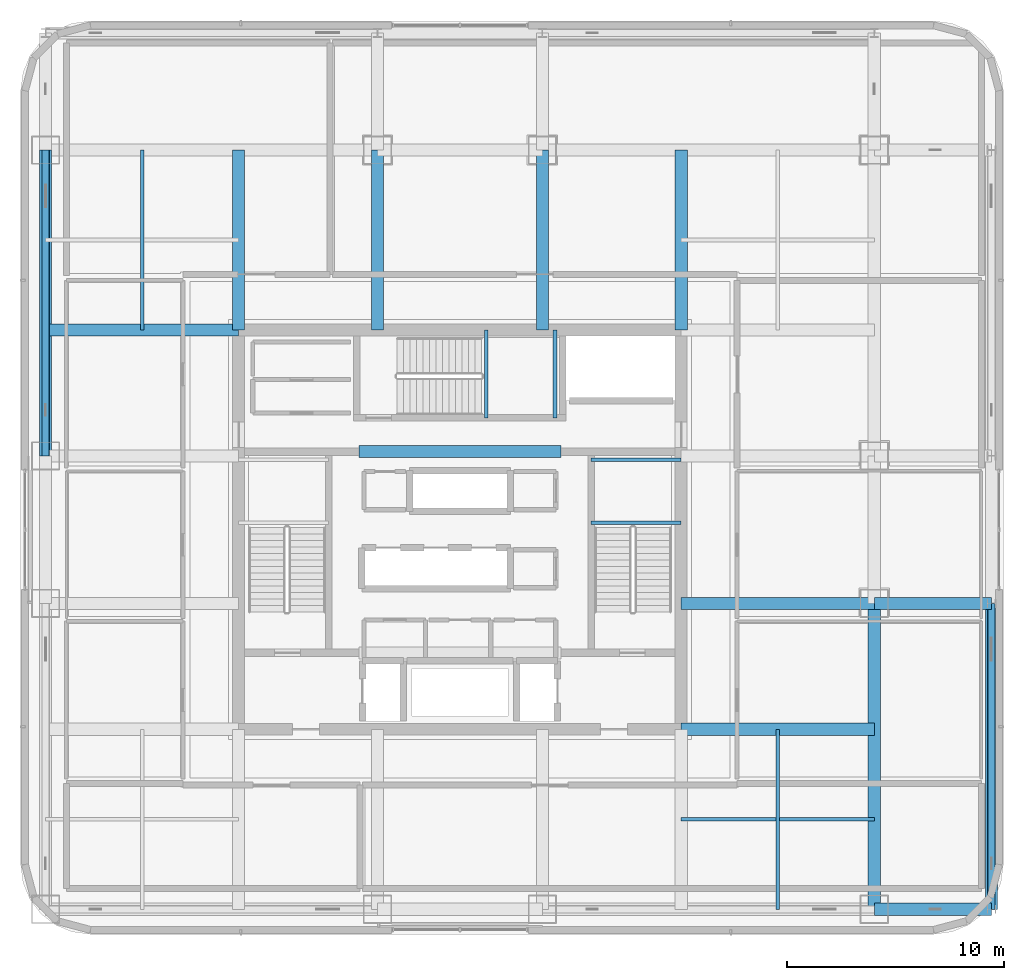
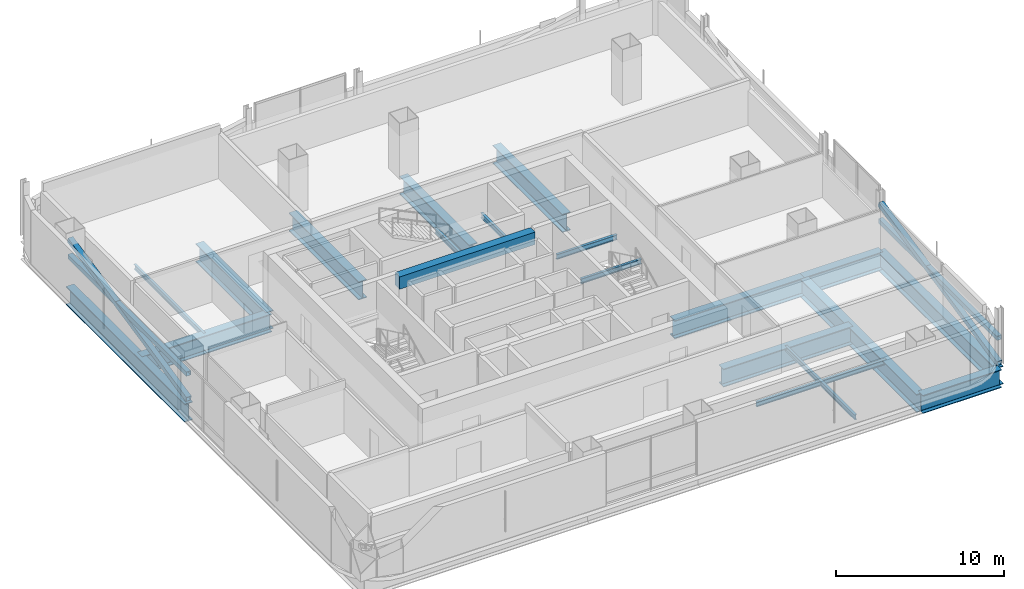
# One storey, part 6 of 30: 20 beams, 4 members.
"""IFC4 building model written with IfcOpenShell, lengths in metres."""

from ifc_helpers import new_model, si_unit, direction, frame, origin, origin_2d, place, context, subcontext, project, spatial, rectangle, hollow_rectangle, i_section, extrude, material, material_profile, profile_set, type_object, element, save


model = new_model("IFC4")

# Units and contexts
model_context = context("Model", 3, precision=1e-05, world=origin(), true_north=direction((0.0, 1.0)))
body_context = subcontext(model_context, "Body", "Model", "MODEL_VIEW")
ifc_project = project(units=[si_unit("LENGTHUNIT", "METRE"), si_unit("AREAUNIT", "SQUARE_METRE"), si_unit("VOLUMEUNIT", "CUBIC_METRE"), si_unit("PLANEANGLEUNIT", "RADIAN"), si_unit("MASSUNIT", "GRAM", prefix="KILO")], contexts=[model_context])

# Site, building, storey
site_placement = place(None, origin())
site = spatial("IfcSite", under=ifc_project, at=site_placement, CompositionType="ELEMENT")
building_placement = place(site_placement, origin())
building = spatial("IfcBuilding", under=site, at=building_placement, Name="Punatoya Terracotta Tower", CompositionType="ELEMENT")
storey_placement = place(building_placement, frame((0.0, 0.0, 251.39990234375)))
storey = spatial("IfcBuildingStorey", under=building, at=storey_placement, Name="L59", CompositionType="ELEMENT", Elevation=251.39990234375)

# Beams
ifc_material_1 = material(Name="Concrete C50/60", Category="concrete")
ifc_material_profile_1 = material_profile(ifc_material_1, rectangle(XDim=0.550048828125, YDim=0.89990234375, at=origin_2d()))
ifc_profile_set_1 = profile_set([ifc_material_profile_1], Name="Concrete C50/60")
beam_type_1 = type_object("IfcBeamType", Name="BM-RC-900", PredefinedType="LINTEL", material=ifc_profile_set_1)
beam_1_placement = place(storey_placement, frame((-4.64990234375, 3.60009765625, 3.400146484375), z_axis=(1.0, 0.0, 0.0), x_axis=(0.0, 1.0, 0.0)))
element("IfcBeam", 1, at=beam_1_placement, inside=storey, type_object=beam_type_1, Name="L59 Core Coupling Lintel CNW", PredefinedType="LINTEL", context=body_context, shape_type="SweptSolid", body=[
    extrude(rectangle(XDim=0.550048828125, YDim=0.89990234375, at=origin_2d()), origin(), (0.0, 0.0, 1.0), 9.2998046875),
])
ifc_material_2 = material(Name="Steel S355", Category="steel")
ifc_material_profile_2 = material_profile(ifc_material_2, i_section(OverallWidth=0.169921875, OverallDepth=0.360107421875, WebThickness=0.008056640625, FlangeThickness=0.0126953125, FilletRadius=0.01806640625, at=origin_2d()))
ifc_profile_set_2 = profile_set([ifc_material_profile_2], Name="Steel S355")
beam_type_2 = type_object("IfcBeamType", Name="BM-SEC-360", PredefinedType="JOIST", material=ifc_profile_set_2)
beam_2_placement = place(storey_placement, frame((10.199951171875, -13.35009765625, -0.4599609375), z_axis=(1.0, 0.0, 0.0), x_axis=(0.0, 1.0, 0.0)))
element("IfcBeam", 2, at=beam_2_placement, inside=storey, type_object=beam_type_2, Name="BM-L59-SJS-2", PredefinedType="JOIST", context=body_context, shape_type="SweptSolid", body=[
    extrude(i_section(OverallWidth=0.169921875, OverallDepth=0.360107421875, WebThickness=0.008056640625, FlangeThickness=0.0126953125, FilletRadius=0.01806640625, at=origin_2d()), origin(), (0.0, 0.0, 1.0), 8.900146484375),
])
for number, where, z_axis, x_axis, name in (
    (3, (14.64990234375, -17.5, -0.4599609375), (0.0, 1.0, 0.0), (-1.0, 0.0, 0.0), "BM-L59-SJE-1"),
    (4, (-14.64990234375, 9.199951171875, -0.4599609375), (0.0, 1.0, 0.0), (-1.0, 0.0, 0.0), "BM-L59-SJW-2"),
):
    element("IfcBeam", number, at=place(storey_placement, frame(where, z_axis=z_axis, x_axis=x_axis)), inside=storey, type_object=beam_type_2, Name=name, PredefinedType="JOIST", context=body_context, shape_type="SweptSolid", body=[
        extrude(i_section(OverallWidth=0.169921875, OverallDepth=0.360107421875, WebThickness=0.008056640625, FlangeThickness=0.0126953125, FilletRadius=0.01806640625, at=origin_2d()), origin(), (0.0, 0.0, 1.0), 8.300048828125),
    ])
for number, where, z_axis, x_axis, name in (
    (5, (6.050048828125, 0.320068359375, 1.64501953125), (1.0, 0.0, 0.0), (0.0, 1.0, 0.0), "BM-L59-ST-2-LD1A"),
    (6, (6.050048828125, 3.22998046875, 1.64501953125), (1.0, 0.0, 0.0), (0.0, 1.0, 0.0), "BM-L59-ST-2-LD1B"),
):
    element("IfcBeam", number, at=place(storey_placement, frame(where, z_axis=z_axis, x_axis=x_axis)), inside=storey, type_object=beam_type_2, Name=name, PredefinedType="JOIST", context=body_context, shape_type="SweptSolid", body=[
        extrude(i_section(OverallWidth=0.169921875, OverallDepth=0.360107421875, WebThickness=0.008056640625, FlangeThickness=0.0126953125, FilletRadius=0.01806640625, at=origin_2d()), origin(), (0.0, 0.0, 1.0), 4.14990234375),
    ])
for number, where, z_axis, x_axis, name in (
    (7, (1.219970703125, 5.14990234375, 1.64501953125), (0.0, 1.0, 0.0), (-1.0, 0.0, 0.0), "BM-L59-ST-3-LD1A"),
    (8, (4.3798828125, 5.14990234375, 1.64501953125), (0.0, 1.0, 0.0), (-1.0, 0.0, 0.0), "BM-L59-ST-3-LD1B"),
):
    element("IfcBeam", number, at=place(storey_placement, frame(where, z_axis=z_axis, x_axis=x_axis)), inside=storey, type_object=beam_type_2, Name=name, PredefinedType="JOIST", context=body_context, shape_type="SweptSolid", body=[
        extrude(i_section(OverallWidth=0.169921875, OverallDepth=0.360107421875, WebThickness=0.008056640625, FlangeThickness=0.0126953125, FilletRadius=0.01806640625, at=origin_2d()), origin(), (0.0, 0.0, 1.0), 4.050048828125),
    ])
ifc_material_3 = material(Name="Steel S460", Category="steel")
ifc_material_profile_3 = material_profile(ifc_material_3, i_section(OverallWidth=0.56005859375, OverallDepth=1.320068359375, WebThickness=0.035888671875, FlangeThickness=0.054931640625, FilletRadius=0.01806640625, at=origin_2d()))
ifc_profile_set_3 = profile_set([ifc_material_profile_3], Name="Steel S460")
beam_type_3 = type_object("IfcBeamType", Name="BM-TG-BLK", PredefinedType="BEAM", material=ifc_profile_set_3)
for number, where, z_axis, x_axis, name in (
    (9, (-19.10009765625, 3.39990234375, -0.93994140625), (0.0, 1.0, 0.0), (-1.0, 0.0, 0.0), "BM-L59-RG-W3"),
    (10, (19.10009765625, -17.5, -0.93994140625), (0.0, 1.0, 0.0), (-1.0, 0.0, 0.0), "BM-L59-RG-E1"),
):
    element("IfcBeam", number, at=place(storey_placement, frame(where, z_axis=z_axis, x_axis=x_axis)), inside=storey, type_object=beam_type_3, Name=name, PredefinedType="BEAM", context=body_context, shape_type="SweptSolid", body=[
        extrude(i_section(OverallWidth=0.56005859375, OverallDepth=1.320068359375, WebThickness=0.035888671875, FlangeThickness=0.054931640625, FilletRadius=0.01806640625, at=origin_2d()), origin(), (0.0, 0.0, 1.0), 14.10009765625),
    ])
for number, where, z_axis, x_axis, name in (
    (11, (-19.10009765625, 9.199951171875, -0.93994140625), (1.0, 0.0, 0.0), (0.0, 1.0, 0.0), "BM-L59-PR-WN"),
    (12, (10.199951171875, -9.199951171875, -0.93994140625), (1.0, 0.0, 0.0), (0.0, 1.0, 0.0), "BM-L59-PR-ES"),
    (13, (10.199951171875, -3.39990234375, -0.93994140625), (1.0, 0.0, 0.0), (0.0, 1.0, 0.0), "BM-L59-PR-ED"),
):
    element("IfcBeam", number, at=place(storey_placement, frame(where, z_axis=z_axis, x_axis=x_axis)), inside=storey, type_object=beam_type_3, Name=name, PredefinedType="BEAM", context=body_context, shape_type="SweptSolid", body=[
        extrude(i_section(OverallWidth=0.56005859375, OverallDepth=1.320068359375, WebThickness=0.035888671875, FlangeThickness=0.054931640625, FilletRadius=0.01806640625, at=origin_2d()), origin(), (0.0, 0.0, 1.0), 8.900146484375),
    ])
for number, where, z_axis, x_axis, name in (
    (14, (-10.199951171875, 9.199951171875, -0.93994140625), (0.0, 1.0, 0.0), (-1.0, 0.0, 0.0), "BM-L59-PR-N1"),
    (15, (-3.800048828125, 9.199951171875, -0.93994140625), (0.0, 1.0, 0.0), (-1.0, 0.0, 0.0), "BM-L59-PR-N2"),
    (16, (3.800048828125, 9.199951171875, -0.93994140625), (0.0, 1.0, 0.0), (-1.0, 0.0, 0.0), "BM-L59-PR-N3"),
    (17, (10.199951171875, 9.199951171875, -0.93994140625), (0.0, 1.0, 0.0), (-1.0, 0.0, 0.0), "BM-L59-PR-N4"),
):
    element("IfcBeam", number, at=place(storey_placement, frame(where, z_axis=z_axis, x_axis=x_axis)), inside=storey, type_object=beam_type_3, Name=name, PredefinedType="BEAM", context=body_context, shape_type="SweptSolid", body=[
        extrude(i_section(OverallWidth=0.56005859375, OverallDepth=1.320068359375, WebThickness=0.035888671875, FlangeThickness=0.054931640625, FilletRadius=0.01806640625, at=origin_2d()), origin(), (0.0, 0.0, 1.0), 8.300048828125),
    ])
for number, where, z_axis, x_axis, name in (
    (18, (19.10009765625, -17.5, -0.93994140625), (1.0, 0.0, 0.0), (0.0, 1.0, 0.0), "BM-L59-CANT-E1"),
    (19, (19.10009765625, -3.39990234375, -0.93994140625), (1.0, 0.0, 0.0), (0.0, 1.0, 0.0), "BM-L59-CANT-E2"),
):
    element("IfcBeam", number, at=place(storey_placement, frame(where, z_axis=z_axis, x_axis=x_axis)), inside=storey, type_object=beam_type_3, Name=name, PredefinedType="BEAM", context=body_context, shape_type="SweptSolid", body=[
        extrude(i_section(OverallWidth=0.56005859375, OverallDepth=1.320068359375, WebThickness=0.035888671875, FlangeThickness=0.054931640625, FilletRadius=0.01806640625, at=origin_2d()), origin(), (0.0, 0.0, 1.0), 5.39990234375),
    ])
beam_3_placement = place(storey_placement, frame((24.5, -17.5, -0.93994140625), z_axis=(0.0, 1.0, 0.0), x_axis=(-1.0, 0.0, 0.0)))
element("IfcBeam", 20, at=beam_3_placement, inside=storey, type_object=beam_type_3, Name="BM-L59-PER-E1", PredefinedType="BEAM", context=body_context, shape_type="SweptSolid", body=[
    extrude(i_section(OverallWidth=0.56005859375, OverallDepth=1.320068359375, WebThickness=0.035888671875, FlangeThickness=0.054931640625, FilletRadius=0.01806640625, at=origin_2d()), origin(), (0.0, 0.0, 1.0), 14.10009765625),
])

# Members
ifc_material_profile_4 = material_profile(ifc_material_3, hollow_rectangle(XDim=0.320068359375, YDim=0.320068359375, WallThickness=0.01806640625, at=origin_2d()))
ifc_profile_set_4 = profile_set([ifc_material_profile_4], Name="Steel S460")
member_type_1 = type_object("IfcMemberType", Name="MEM-CHD-320", PredefinedType="CHORD", material=ifc_profile_set_4)
for number, where, z_axis, x_axis, name in (
    (21, (-19.10009765625, 3.39990234375, 1.85009765625), (0.0, 1.0, 0.0), (-1.0, 0.0, 0.0), "L59 Exoskeleton Belt Truss Tie Chord W3"),
    (22, (24.5, -17.5, 1.85009765625), (0.0, 1.0, 0.0), (-1.0, 0.0, 0.0), "L59 Exoskeleton Belt Truss Tie Chord E1"),
):
    element("IfcMember", number, at=place(storey_placement, frame(where, z_axis=z_axis, x_axis=x_axis)), inside=storey, type_object=member_type_1, Name=name, PredefinedType="CHORD", context=body_context, shape_type="SweptSolid", body=[
        extrude(hollow_rectangle(XDim=0.320068359375, YDim=0.320068359375, WallThickness=0.01806640625, at=origin_2d()), origin(), (0.0, 0.0, 1.0), 14.10009765625),
    ])
ifc_material_profile_5 = material_profile(ifc_material_3, hollow_rectangle(XDim=0.35009765625, YDim=0.35009765625, WallThickness=0.01806640625, at=origin_2d()))
ifc_profile_set_5 = profile_set([ifc_material_profile_5], Name="Steel S460")
member_type_2 = type_object("IfcMemberType", Name="MEM-EXO-350", PredefinedType="BRACE", material=ifc_profile_set_5)
for number, where, z_axis, x_axis, name in (
    (23, (-19.10009765625, 3.39990234375, 0.02001953125), (0.0, 0.977680364468, 0.210097846096), (-1.0, 0.0, 0.0), "L59 Exoskeleton Belt Brace W3"),
    (24, (24.5, -17.5, 0.02001953125), (0.0, 0.977680364468, 0.210097846096), (-1.0, 0.0, 0.0), "L59 Exoskeleton Belt Brace E1"),
):
    element("IfcMember", number, at=place(storey_placement, frame(where, z_axis=z_axis, x_axis=x_axis)), inside=storey, type_object=member_type_2, Name=name, PredefinedType="BRACE", context=body_context, shape_type="SweptSolid", body=[
        extrude(hollow_rectangle(XDim=0.35009765625, YDim=0.35009765625, WallThickness=0.01806640625, at=origin_2d()), origin(), (0.0, 0.0, 1.0), 14.421875),
    ])

save(model, "model.ifc")
